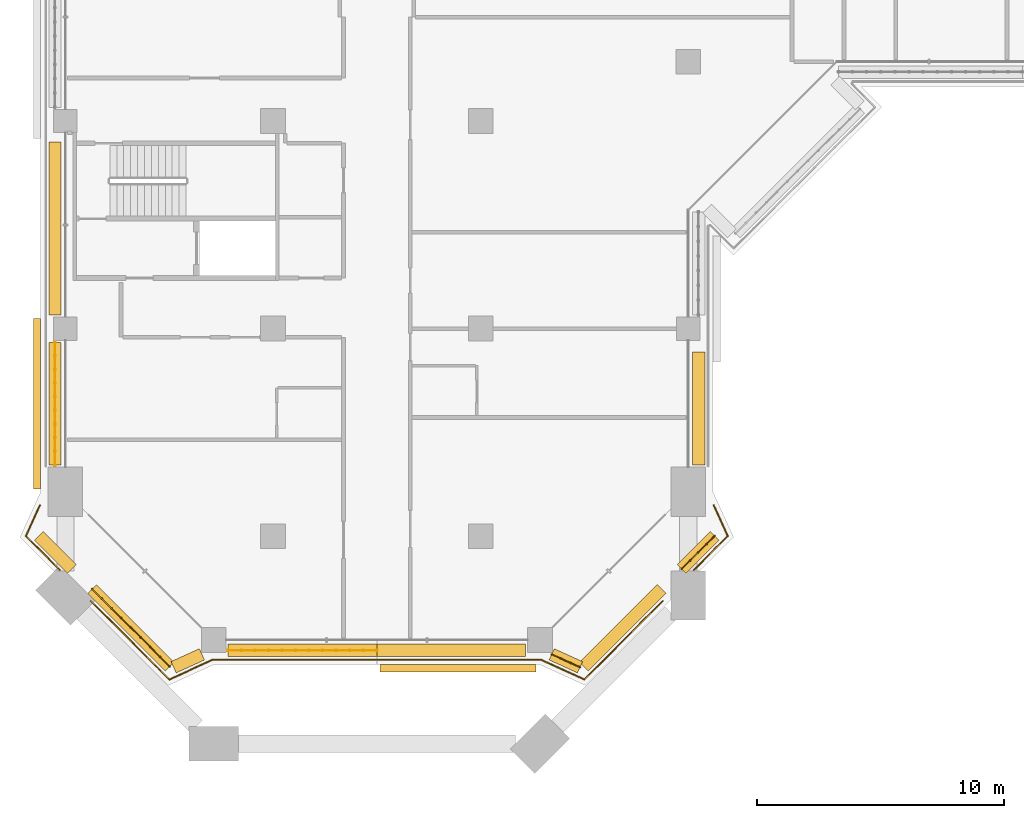
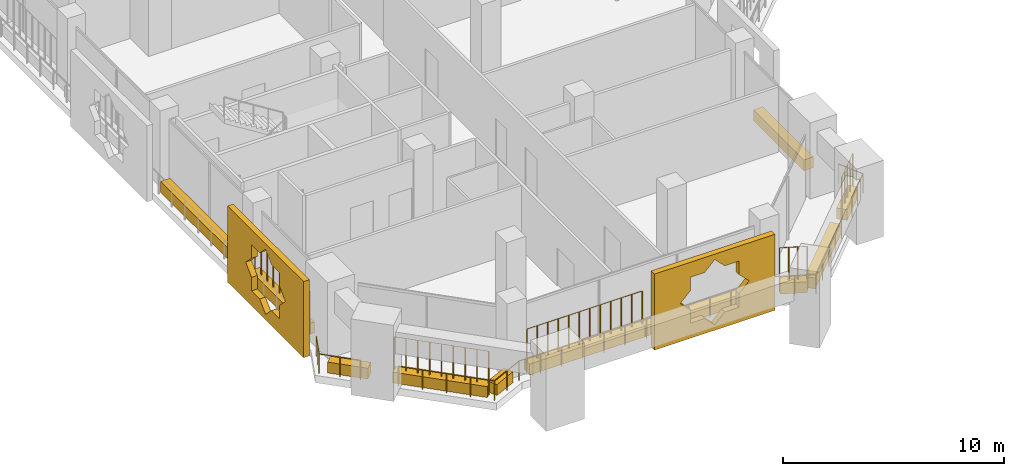
# One storey, part 16 of 23: 13 coverings, 9 railings.
"""IFC4 building model written with IfcOpenShell, lengths in metres."""

from ifc_helpers import new_model, si_unit, direction, frame, origin, origin_2d, place, context, subcontext, project, spatial, polyline, rectangle, circle, outline, extrude, material, material_profile, profile_set, type_object, element, save


model = new_model("IFC4")

# Units and contexts
model_context = context("Model", 3, precision=1e-05, world=origin(), true_north=direction((0.0, 1.0)))
body_context = subcontext(model_context, "Body", "Model", "MODEL_VIEW")
ifc_project = project(units=[si_unit("LENGTHUNIT", "METRE"), si_unit("AREAUNIT", "SQUARE_METRE"), si_unit("VOLUMEUNIT", "CUBIC_METRE"), si_unit("PLANEANGLEUNIT", "RADIAN"), si_unit("MASSUNIT", "GRAM", prefix="KILO")], contexts=[model_context])

# Site, building, storey
site_placement = place(None, origin())
site = spatial("IfcSite", under=ifc_project, at=site_placement, CompositionType="ELEMENT")
building_placement = place(site_placement, origin())
building = spatial("IfcBuilding", under=site, at=building_placement, Name="Kawkab Arch Medical Tower", CompositionType="ELEMENT")
storey_placement = place(building_placement, frame((0.0, 0.0, 175.199951171875)))
storey = spatial("IfcBuildingStorey", under=building, at=storey_placement, Name="L40", CompositionType="ELEMENT", Elevation=175.199951171875)

# Railings
ifc_material_1 = material(Name="Bronze anodised aluminium guard", Category="aluminium")
railing_type_1 = type_object("IfcRailingType", Name="Loggia and terrace guard 1100", PredefinedType="GUARDRAIL", material=ifc_material_1)
railing_1_placement = place(storey_placement, frame((20.9951171875, -56.197998046875, 0.0)))
element("IfcRailing", 1, at=railing_1_placement, inside=storey, type_object=railing_type_1, Name="Guard L40.LOG-01.1.1", PredefinedType="GUARDRAIL", context=body_context, shape_type="SweptSolid", body=[
    extrude(circle(Radius=0.02392578125, at=origin_2d()), frame((0.0, 0.0, 1.076171875), z_axis=(-0.910044860056, 0.414509773934, 0.0), x_axis=(-0.414509773934, -0.910044860056, 0.0)), (0.0, 0.0, 1.0), 1.92529296875),
    extrude(circle(Radius=0.02392578125, at=origin_2d()), frame((-1.752197265625, 0.798095703125, 1.076171875), z_axis=(-1.0, 0.0, 0.0), x_axis=(0.0, -1.0, 0.0)), (0.0, 0.0, 1.0), 13.285888671875),
    extrude(circle(Radius=0.02392578125, at=origin_2d()), frame((-15.0380859375, 0.798095703125, 1.076171875), z_axis=(-0.910023069687, -0.414557610759, 0.0), x_axis=(0.414557610759, -0.910023069687, 0.0)), (0.0, 0.0, 1.0), 1.92529296875),
    extrude(circle(Radius=0.02392578125, at=origin_2d()), frame((-16.7900390625, 0.0, 1.076171875), z_axis=(-0.707106781187, 0.707106781187, 0.0), x_axis=(-0.707106781187, -0.707106781187, 0.0)), (0.0, 0.0, 1.0), 4.490234375),
    extrude(circle(Radius=0.02099609375, at=origin_2d()), origin(), (0.0, 0.0, 1.0), 1.052001953125),
    extrude(circle(Radius=0.02099609375, at=origin_2d()), frame((-0.8759765625, 0.39892578125, 0.0)), (0.0, 0.0, 1.0), 1.052001953125),
    extrude(circle(Radius=0.02099609375, at=origin_2d()), frame((-1.752197265625, 0.798095703125, 0.0)), (0.0, 0.0, 1.0), 1.052001953125),
    extrude(circle(Radius=0.02099609375, at=origin_2d()), frame((-2.859375, 0.798095703125, 0.0)), (0.0, 0.0, 1.0), 1.052001953125),
    extrude(circle(Radius=0.02099609375, at=origin_2d()), frame((-3.966552734375, 0.798095703125, 0.0)), (0.0, 0.0, 1.0), 1.052001953125),
    extrude(circle(Radius=0.02099609375, at=origin_2d()), frame((-5.07373046875, 0.798095703125, 0.0)), (0.0, 0.0, 1.0), 1.052001953125),
    extrude(circle(Radius=0.02099609375, at=origin_2d()), frame((-6.180908203125, 0.798095703125, 0.0)), (0.0, 0.0, 1.0), 1.052001953125),
    extrude(circle(Radius=0.02099609375, at=origin_2d()), frame((-7.2880859375, 0.798095703125, 0.0)), (0.0, 0.0, 1.0), 1.052001953125),
    extrude(circle(Radius=0.02099609375, at=origin_2d()), frame((-8.39501953125, 0.798095703125, 0.0)), (0.0, 0.0, 1.0), 1.052001953125),
    extrude(circle(Radius=0.02099609375, at=origin_2d()), frame((-9.502197265625, 0.798095703125, 0.0)), (0.0, 0.0, 1.0), 1.052001953125),
    extrude(circle(Radius=0.02099609375, at=origin_2d()), frame((-10.609375, 0.798095703125, 0.0)), (0.0, 0.0, 1.0), 1.052001953125),
    extrude(circle(Radius=0.02099609375, at=origin_2d()), frame((-11.716552734375, 0.798095703125, 0.0)), (0.0, 0.0, 1.0), 1.052001953125),
    extrude(circle(Radius=0.02099609375, at=origin_2d()), frame((-12.82373046875, 0.798095703125, 0.0)), (0.0, 0.0, 1.0), 1.052001953125),
    extrude(circle(Radius=0.02099609375, at=origin_2d()), frame((-13.930908203125, 0.798095703125, 0.0)), (0.0, 0.0, 1.0), 1.052001953125),
    extrude(circle(Radius=0.02099609375, at=origin_2d()), frame((-15.0380859375, 0.798095703125, 0.0)), (0.0, 0.0, 1.0), 1.052001953125),
    extrude(circle(Radius=0.02099609375, at=origin_2d()), frame((-15.9140625, 0.39892578125, 0.0)), (0.0, 0.0, 1.0), 1.052001953125),
    extrude(circle(Radius=0.02099609375, at=origin_2d()), frame((-16.7900390625, 0.0, 0.0)), (0.0, 0.0, 1.0), 1.052001953125),
    extrude(circle(Radius=0.02099609375, at=origin_2d()), frame((-17.583740234375, 0.793701171875, 0.0)), (0.0, 0.0, 1.0), 1.052001953125),
    extrude(circle(Radius=0.02099609375, at=origin_2d()), frame((-18.37744140625, 1.58740234375, 0.0)), (0.0, 0.0, 1.0), 1.052001953125),
    extrude(circle(Radius=0.02099609375, at=origin_2d()), frame((-19.17138671875, 2.38134765625, 0.0)), (0.0, 0.0, 1.0), 1.052001953125),
    extrude(circle(Radius=0.02099609375, at=origin_2d()), frame((-19.965087890625, 3.175048828125, 0.0)), (0.0, 0.0, 1.0), 1.052001953125),
])
railing_2_placement = place(storey_placement, frame((-0.222900390625, -51.77001953125, 0.0)))
element("IfcRailing", 2, at=railing_2_placement, inside=storey, type_object=railing_type_1, Name="Guard L40.LOG-01.1.2", PredefinedType="GUARDRAIL", context=body_context, shape_type="SweptSolid", body=[
    extrude(circle(Radius=0.02392578125, at=origin_2d()), frame((0.0, 0.0, 1.076171875), z_axis=(-0.707106781187, 0.707106781187, 0.0), x_axis=(-0.707106781187, -0.707106781187, 0.0)), (0.0, 0.0, 1.0), 1.944580078125),
    extrude(circle(Radius=0.02392578125, at=origin_2d()), frame((-1.375, 1.375, 1.076171875), z_axis=(0.414420337807, 0.910085591366, 0.0), x_axis=(-0.910085591366, 0.414420337807, 0.0)), (0.0, 0.0, 1.0), 1.370361328125),
    extrude(circle(Radius=0.02099609375, at=origin_2d()), origin(), (0.0, 0.0, 1.0), 1.052001953125),
    extrude(circle(Radius=0.02099609375, at=origin_2d()), frame((-0.6875, 0.6875, 0.0)), (0.0, 0.0, 1.0), 1.052001953125),
    extrude(circle(Radius=0.02099609375, at=origin_2d()), frame((-1.375, 1.375, 0.0)), (0.0, 0.0, 1.0), 1.052001953125),
    extrude(circle(Radius=0.02099609375, at=origin_2d()), frame((-1.091064453125, 1.99853515625, 0.0)), (0.0, 0.0, 1.0), 1.052001953125),
    extrude(circle(Radius=0.02099609375, at=origin_2d()), frame((-0.80712890625, 2.6220703125, 0.0)), (0.0, 0.0, 1.0), 1.052001953125),
])
railing_3_placement = place(storey_placement, frame((26.22998046875, -49.14794921875, 0.0)))
element("IfcRailing", 3, at=railing_3_placement, inside=storey, type_object=railing_type_1, Name="Guard L40.LOG-01.1.4", PredefinedType="GUARDRAIL", context=body_context, shape_type="SweptSolid", body=[
    extrude(circle(Radius=0.02392578125, at=origin_2d()), frame((0.0, 0.0, 1.076171875), z_axis=(0.414567890698, -0.910018386629, 0.0), x_axis=(0.910018386629, 0.414567890698, 0.0)), (0.0, 0.0, 1.0), 1.370361328125),
    extrude(circle(Radius=0.02392578125, at=origin_2d()), frame((0.568115234375, -1.2470703125, 1.076171875), z_axis=(-0.707106781187, -0.707106781187, 0.0), x_axis=(0.707106781187, -0.707106781187, 0.0)), (0.0, 0.0, 1.0), 1.944580078125),
    extrude(circle(Radius=0.02099609375, at=origin_2d()), origin(), (0.0, 0.0, 1.0), 1.052001953125),
    extrude(circle(Radius=0.02099609375, at=origin_2d()), frame((0.2841796875, -0.62353515625, 0.0)), (0.0, 0.0, 1.0), 1.052001953125),
    extrude(circle(Radius=0.02099609375, at=origin_2d()), frame((0.568115234375, -1.2470703125, 0.0)), (0.0, 0.0, 1.0), 1.052001953125),
    extrude(circle(Radius=0.02099609375, at=origin_2d()), frame((-0.119384765625, -1.9345703125, 0.0)), (0.0, 0.0, 1.0), 1.052001953125),
    extrude(circle(Radius=0.02099609375, at=origin_2d()), frame((-0.806884765625, -2.6220703125, 0.0)), (0.0, 0.0, 1.0), 1.052001953125),
])
railing_4_placement = place(storey_placement, frame((24.169921875, -53.02294921875, 0.0)))
element("IfcRailing", 4, at=railing_4_placement, inside=storey, type_object=railing_type_1, Name="Guard L40.LOG-01.1.5", PredefinedType="GUARDRAIL", context=body_context, shape_type="SweptSolid", body=[
    extrude(circle(Radius=0.02392578125, at=origin_2d()), frame((0.0, 0.0, 1.076171875), z_axis=(-0.70707959366, -0.707133967668, 0.0), x_axis=(0.707133967668, -0.70707959366, 0.0)), (0.0, 0.0, 1.0), 4.489990234375),
    extrude(circle(Radius=0.02099609375, at=origin_2d()), origin(), (0.0, 0.0, 1.0), 1.052001953125),
    extrude(circle(Radius=0.02099609375, at=origin_2d()), frame((-0.793701171875, -0.793701171875, 0.0)), (0.0, 0.0, 1.0), 1.052001953125),
    extrude(circle(Radius=0.02099609375, at=origin_2d()), frame((-1.58740234375, -1.58740234375, 0.0)), (0.0, 0.0, 1.0), 1.052001953125),
    extrude(circle(Radius=0.02099609375, at=origin_2d()), frame((-2.381103515625, -2.38134765625, 0.0)), (0.0, 0.0, 1.0), 1.052001953125),
    extrude(circle(Radius=0.02099609375, at=origin_2d()), frame((-3.1748046875, -3.175048828125, 0.0)), (0.0, 0.0, 1.0), 1.052001953125),
])

# Coverings
ifc_material_2 = material(Name="Bronze anodised aluminium mashrabiya panel, eight-point star pattern", Category="aluminium")
ifc_material_profile_1 = material_profile(ifc_material_2, outline(polyline([(-3.14990234375, -2.10009765625), (3.14990234375, -2.10009765625), (3.14990234375, 2.10009765625), (-3.14990234375, 2.10009765625), (-3.14990234375, -2.10009765625)]), holes=[polyline([(1.800048828125, 0.0), (1.272705078125, 0.527099609375), (1.272705078125, 1.272705078125), (0.527099609375, 1.272705078125), (0.0, 1.800048828125), (-0.527099609375, 1.272705078125), (-1.272705078125, 1.272705078125), (-1.272705078125, 0.527099609375), (-1.800048828125, 0.0), (-1.272705078125, -0.527099609375), (-1.272705078125, -1.272705078125), (-0.527099609375, -1.272705078125), (0.0, -1.800048828125), (0.527099609375, -1.272705078125), (1.272705078125, -1.272705078125), (1.272705078125, -0.527099609375), (1.800048828125, 0.0)])]), Name="Mashrabiya panel 6300x4200")
ifc_profile_set_1 = profile_set([ifc_material_profile_1], Name="Bronze anodised aluminium mashrabiya panel, eight-point star pattern")
covering_type_1 = type_object("IfcCoveringType", Name="Mashrabiya panel 6300 x 4200", PredefinedType="USERDEFINED", material=ifc_profile_set_1)
covering_1_placement = place(storey_placement, frame((15.881103515625, -55.60009765625, 1.699951171875), z_axis=(0.0, -1.0, 0.0), x_axis=(1.0, 0.0, 0.0)))
element("IfcCovering", 5, at=covering_1_placement, inside=storey, type_object=covering_type_1, Name="Mashrabiya panel L40.LOG-01-01.1", ObjectType="SCREEN", PredefinedType="USERDEFINED", context=body_context, shape_type="SweptSolid", body=[
    extrude(outline(polyline([(-3.14990234375, -2.10009765625), (3.14990234375, -2.10009765625), (3.14990234375, 2.10009765625), (-3.14990234375, 2.10009765625), (-3.14990234375, -2.10009765625)]), holes=[polyline([(1.800048828125, 0.0), (1.272705078125, 0.527099609375), (1.272705078125, 1.272705078125), (0.527099609375, 1.272705078125), (0.0, 1.800048828125), (-0.527099609375, 1.272705078125), (-1.272705078125, 1.272705078125), (-1.272705078125, 0.527099609375), (-1.800048828125, 0.0), (-1.272705078125, -0.527099609375), (-1.272705078125, -1.272705078125), (-0.527099609375, -1.272705078125), (0.0, -1.800048828125), (0.527099609375, -1.272705078125), (1.272705078125, -1.272705078125), (1.272705078125, -0.527099609375), (1.800048828125, 0.0)])]), origin(), (0.0, 0.0, 1.0), 0.2998046875),
])
ifc_material_3 = material(Name="Bronze anodised aluminium mashrabiya panel, eight-point star pattern", Category="aluminium")
ifc_material_profile_2 = material_profile(ifc_material_3, outline(polyline([(-3.449951171875, -2.10009765625), (3.449951171875, -2.10009765625), (3.449951171875, 2.10009765625), (-3.449951171875, 2.10009765625), (-3.449951171875, -2.10009765625)]), holes=[polyline([(1.800048828125, 0.0), (1.272705078125, 0.527099609375), (1.272705078125, 1.272705078125), (0.527099609375, 1.272705078125), (0.0, 1.800048828125), (-0.527099609375, 1.272705078125), (-1.272705078125, 1.272705078125), (-1.272705078125, 0.527099609375), (-1.800048828125, 0.0), (-1.272705078125, -0.527099609375), (-1.272705078125, -1.272705078125), (-0.527099609375, -1.272705078125), (0.0, -1.800048828125), (0.527099609375, -1.272705078125), (1.272705078125, -1.272705078125), (1.272705078125, -0.527099609375), (1.800048828125, 0.0)])]), Name="Mashrabiya panel 6900x4200")
ifc_profile_set_2 = profile_set([ifc_material_profile_2], Name="Bronze anodised aluminium mashrabiya panel, eight-point star pattern")
covering_type_2 = type_object("IfcCoveringType", Name="Mashrabiya panel 6900 x 4200", PredefinedType="USERDEFINED", material=ifc_profile_set_2)
covering_2_placement = place(storey_placement, frame((-1.0, -45.03173828125, 1.699951171875), z_axis=(-1.0, 0.0, 0.0), x_axis=(0.0, -1.0, 0.0)))
element("IfcCovering", 6, at=covering_2_placement, inside=storey, type_object=covering_type_2, Name="Mashrabiya panel L40.LOG-01-01.2", ObjectType="SCREEN", PredefinedType="USERDEFINED", context=body_context, shape_type="SweptSolid", body=[
    extrude(outline(polyline([(-3.449951171875, -2.10009765625), (3.449951171875, -2.10009765625), (3.449951171875, 2.10009765625), (-3.449951171875, 2.10009765625), (-3.449951171875, -2.10009765625)]), holes=[polyline([(1.800048828125, 0.0), (1.272705078125, 0.527099609375), (1.272705078125, 1.272705078125), (0.527099609375, 1.272705078125), (0.0, 1.800048828125), (-0.527099609375, 1.272705078125), (-1.272705078125, 1.272705078125), (-1.272705078125, 0.527099609375), (-1.800048828125, 0.0), (-1.272705078125, -0.527099609375), (-1.272705078125, -1.272705078125), (-0.527099609375, -1.272705078125), (0.0, -1.800048828125), (0.527099609375, -1.272705078125), (1.272705078125, -1.272705078125), (1.272705078125, -0.527099609375), (1.800048828125, 0.0)])]), origin(), (0.0, 0.0, 1.0), 0.300048828125),
])
ifc_material_4 = material(Name="Planting soil in a precast trough", Category="concrete")
ifc_material_profile_3 = material_profile(ifc_material_4, rectangle(XDim=0.5, YDim=0.60009765625, at=origin_2d()), Name="Trough 500x600")
ifc_profile_set_3 = profile_set([ifc_material_profile_3], Name="Planting soil in a precast trough")
covering_type_3 = type_object("IfcCoveringType", Name="Planter trough 500 x 600", PredefinedType="USERDEFINED", material=ifc_profile_set_3)
covering_3_placement = place(storey_placement, frame((20.821044921875, -55.701904296875, 0.300048828125), z_axis=(-0.909780461959, 0.415089762627, 0.0), x_axis=(-0.415089762627, -0.909780461959, 0.0)))
element("IfcCovering", 7, at=covering_3_placement, inside=storey, type_object=covering_type_3, Name="Planter L40.LOG-01-01.1", ObjectType="PLANTER", PredefinedType="USERDEFINED", context=body_context, shape_type="SweptSolid", body=[
    extrude(rectangle(XDim=0.5, YDim=0.60009765625, at=origin_2d()), origin(), (0.0, 0.0, 1.0), 1.257568359375),
])
for number, where, z_axis, x_axis, name in (
    (8, (18.6201171875, -55.02001953125, 0.300048828125), (-1.0, 0.0, 0.0), (0.0, -1.0, 0.0), "Planter L40.LOG-01-01.2"),
    (9, (12.60009765625, -55.02001953125, 0.300048828125), (-1.0, 0.0, 0.0), (0.0, -1.0, 0.0), "Planter L40.LOG-01-01.3"),
):
    element("IfcCovering", number, at=place(storey_placement, frame(where, z_axis=z_axis, x_axis=x_axis)), inside=storey, type_object=covering_type_3, Name=name, ObjectType="PLANTER", PredefinedType="USERDEFINED", context=body_context, shape_type="SweptSolid", body=[
        extrude(rectangle(XDim=0.5, YDim=0.60009765625, at=origin_2d()), origin(), (0.0, 0.0, 1.0), 6.02001953125),
    ])
covering_4_placement = place(storey_placement, frame((5.52294921875, -55.179931640625, 0.300048828125), z_axis=(-0.909780461959, -0.415089762627, 0.0), x_axis=(0.415089762627, -0.909780461959, 0.0)))
element("IfcCovering", 10, at=covering_4_placement, inside=storey, type_object=covering_type_3, Name="Planter L40.LOG-01-01.4", ObjectType="PLANTER", PredefinedType="USERDEFINED", context=body_context, shape_type="SweptSolid", body=[
    extrude(rectangle(XDim=0.5, YDim=0.60009765625, at=origin_2d()), origin(), (0.0, 0.0, 1.0), 1.257568359375),
])
covering_5_placement = place(storey_placement, frame((4.217041015625, -55.673095703125, 0.300048828125), z_axis=(-0.707079265698, 0.707134295604, 0.0), x_axis=(-0.707134295604, -0.707079265698, 0.0)))
element("IfcCovering", 11, at=covering_5_placement, inside=storey, type_object=covering_type_3, Name="Planter L40.LOG-01-01.5", ObjectType="PLANTER", PredefinedType="USERDEFINED", context=body_context, shape_type="SweptSolid", body=[
    extrude(rectangle(XDim=0.5, YDim=0.60009765625, at=origin_2d()), origin(), (0.0, 0.0, 1.0), 4.4365234375),
])
covering_6_placement = place(storey_placement, frame((0.263916015625, -51.719970703125, 0.300048828125), z_axis=(-0.707106781187, 0.707106781187, 0.0), x_axis=(-0.707106781187, -0.707106781187, 0.0)))
element("IfcCovering", 12, at=covering_6_placement, inside=storey, type_object=covering_type_3, Name="Planter L40.LOG-01-01.6", ObjectType="PLANTER", PredefinedType="USERDEFINED", context=body_context, shape_type="SweptSolid", body=[
    extrude(rectangle(XDim=0.5, YDim=0.60009765625, at=origin_2d()), origin(), (0.0, 0.0, 1.0), 1.890625),
])
covering_7_placement = place(storey_placement, frame((-0.419921875, -47.52001953125, 0.300048828125), z_axis=(0.0, 1.0, 0.0), x_axis=(-1.0, 0.0, 0.0)))
element("IfcCovering", 13, at=covering_7_placement, inside=storey, type_object=covering_type_3, Name="Planter L40.LOG-01-01.7", ObjectType="PLANTER", PredefinedType="USERDEFINED", context=body_context, shape_type="SweptSolid", body=[
    extrude(rectangle(XDim=0.5, YDim=0.60009765625, at=origin_2d()), origin(), (0.0, 0.0, 1.0), 4.965087890625),
])
covering_8_placement = place(storey_placement, frame((-0.419921875, -41.445068359375, 0.300048828125), z_axis=(0.0, 1.0, 0.0), x_axis=(-1.0, 0.0, 0.0)))
element("IfcCovering", 14, at=covering_8_placement, inside=storey, type_object=covering_type_3, Name="Planter L40.LOG-01-01.8", ObjectType="PLANTER", PredefinedType="USERDEFINED", context=body_context, shape_type="SweptSolid", body=[
    extrude(rectangle(XDim=0.5, YDim=0.60009765625, at=origin_2d()), origin(), (0.0, 0.0, 1.0), 7.003173828125),
])
covering_9_placement = place(storey_placement, frame((25.6201171875, -42.955078125, 0.300048828125), z_axis=(0.0, -1.0, 0.0), x_axis=(1.0, 0.0, 0.0)))
element("IfcCovering", 15, at=covering_9_placement, inside=storey, type_object=covering_type_3, Name="Planter L40.LOG-01-01.42", ObjectType="PLANTER", PredefinedType="USERDEFINED", context=body_context, shape_type="SweptSolid", body=[
    extrude(rectangle(XDim=0.5, YDim=0.60009765625, at=origin_2d()), origin(), (0.0, 0.0, 1.0), 4.56494140625),
])
covering_10_placement = place(storey_placement, frame((26.27294921875, -50.383056640625, 0.300048828125), z_axis=(-0.707106781187, -0.707106781187, 0.0), x_axis=(0.707106781187, -0.707106781187, 0.0)))
element("IfcCovering", 16, at=covering_10_placement, inside=storey, type_object=covering_type_3, Name="Planter L40.LOG-01-01.43", ObjectType="PLANTER", PredefinedType="USERDEFINED", context=body_context, shape_type="SweptSolid", body=[
    extrude(rectangle(XDim=0.5, YDim=0.60009765625, at=origin_2d()), origin(), (0.0, 0.0, 1.0), 1.890625),
])
covering_11_placement = place(storey_placement, frame((24.1201171875, -52.535888671875, 0.300048828125), z_axis=(-0.707106781187, -0.707106781187, 0.0), x_axis=(0.707106781187, -0.707106781187, 0.0)))
element("IfcCovering", 17, at=covering_11_placement, inside=storey, type_object=covering_type_3, Name="Planter L40.LOG-01-01.44", ObjectType="PLANTER", PredefinedType="USERDEFINED", context=body_context, shape_type="SweptSolid", body=[
    extrude(rectangle(XDim=0.5, YDim=0.60009765625, at=origin_2d()), origin(), (0.0, 0.0, 1.0), 4.436767578125),
])

# Railings
ifc_material_5 = material(Name="Bronze anodised aluminium trellis for climbing plants", Category="aluminium")
railing_type_2 = type_object("IfcRailingType", Name="Planting trellis 2400", PredefinedType="USERDEFINED", material=ifc_material_5)
railing_5_placement = place(storey_placement, frame((20.821044921875, -55.701904296875, 0.0)))
element("IfcRailing", 18, at=railing_5_placement, inside=storey, type_object=railing_type_2, Name="Planting trellis L40.LOG-01-01.1", ObjectType="TRELLIS", PredefinedType="USERDEFINED", context=body_context, shape_type="SweptSolid", body=[
    extrude(circle(Radius=0.01513671875, at=origin_2d()), frame((0.0, 0.0, 2.384765625), z_axis=(-0.909780461959, 0.415089762627, 0.0), x_axis=(-0.415089762627, -0.909780461959, 0.0)), (0.0, 0.0, 1.0), 1.257568359375),
    extrude(circle(Radius=0.030029296875, at=origin_2d()), origin(), (0.0, 0.0, 1.0), 2.369873046875),
    extrude(circle(Radius=0.030029296875, at=origin_2d()), frame((-0.38134765625, 0.174072265625, 0.0)), (0.0, 0.0, 1.0), 2.369873046875),
    extrude(circle(Radius=0.030029296875, at=origin_2d()), frame((-0.7626953125, 0.347900390625, 0.0)), (0.0, 0.0, 1.0), 2.369873046875),
    extrude(circle(Radius=0.030029296875, at=origin_2d()), frame((-1.14404296875, 0.52197265625, 0.0)), (0.0, 0.0, 1.0), 2.369873046875),
])
railing_6_placement = place(storey_placement, frame((12.60009765625, -55.02001953125, 0.0)))
element("IfcRailing", 19, at=railing_6_placement, inside=storey, type_object=railing_type_2, Name="Planting trellis L40.LOG-01-01.3", ObjectType="TRELLIS", PredefinedType="USERDEFINED", context=body_context, shape_type="SweptSolid", body=[
    extrude(circle(Radius=0.01513671875, at=origin_2d()), frame((0.0, 0.0, 2.384765625), z_axis=(-1.0, 0.0, 0.0), x_axis=(0.0, -1.0, 0.0)), (0.0, 0.0, 1.0), 6.02001953125),
    extrude(circle(Radius=0.030029296875, at=origin_2d()), origin(), (0.0, 0.0, 1.0), 2.369873046875),
    extrude(circle(Radius=0.030029296875, at=origin_2d()), frame((-0.54736328125, 0.0, 0.0)), (0.0, 0.0, 1.0), 2.369873046875),
    extrude(circle(Radius=0.030029296875, at=origin_2d()), frame((-1.094482421875, 0.0, 0.0)), (0.0, 0.0, 1.0), 2.369873046875),
    extrude(circle(Radius=0.030029296875, at=origin_2d()), frame((-1.641845703125, 0.0, 0.0)), (0.0, 0.0, 1.0), 2.369873046875),
    extrude(circle(Radius=0.030029296875, at=origin_2d()), frame((-2.189208984375, 0.0, 0.0)), (0.0, 0.0, 1.0), 2.369873046875),
    extrude(circle(Radius=0.030029296875, at=origin_2d()), frame((-2.736328125, 0.0, 0.0)), (0.0, 0.0, 1.0), 2.369873046875),
    extrude(circle(Radius=0.030029296875, at=origin_2d()), frame((-3.28369140625, 0.0, 0.0)), (0.0, 0.0, 1.0), 2.369873046875),
    extrude(circle(Radius=0.030029296875, at=origin_2d()), frame((-3.830810546875, 0.0, 0.0)), (0.0, 0.0, 1.0), 2.369873046875),
    extrude(circle(Radius=0.030029296875, at=origin_2d()), frame((-4.378173828125, 0.0, 0.0)), (0.0, 0.0, 1.0), 2.369873046875),
    extrude(circle(Radius=0.030029296875, at=origin_2d()), frame((-4.925537109375, 0.0, 0.0)), (0.0, 0.0, 1.0), 2.369873046875),
    extrude(circle(Radius=0.030029296875, at=origin_2d()), frame((-5.47265625, 0.0, 0.0)), (0.0, 0.0, 1.0), 2.369873046875),
    extrude(circle(Radius=0.030029296875, at=origin_2d()), frame((-6.02001953125, 0.0, 0.0)), (0.0, 0.0, 1.0), 2.369873046875),
])
railing_7_placement = place(storey_placement, frame((4.217041015625, -55.673095703125, 0.0)))
element("IfcRailing", 20, at=railing_7_placement, inside=storey, type_object=railing_type_2, Name="Planting trellis L40.LOG-01-01.5", ObjectType="TRELLIS", PredefinedType="USERDEFINED", context=body_context, shape_type="SweptSolid", body=[
    extrude(circle(Radius=0.01513671875, at=origin_2d()), frame((0.0, 0.0, 2.384765625), z_axis=(-0.707079265698, 0.707134295604, 0.0), x_axis=(-0.707134295604, -0.707079265698, 0.0)), (0.0, 0.0, 1.0), 4.4365234375),
    extrude(circle(Radius=0.030029296875, at=origin_2d()), origin(), (0.0, 0.0, 1.0), 2.369873046875),
    extrude(circle(Radius=0.030029296875, at=origin_2d()), frame((-0.39208984375, 0.39208984375, 0.0)), (0.0, 0.0, 1.0), 2.369873046875),
    extrude(circle(Radius=0.030029296875, at=origin_2d()), frame((-0.7841796875, 0.7841796875, 0.0)), (0.0, 0.0, 1.0), 2.369873046875),
    extrude(circle(Radius=0.030029296875, at=origin_2d()), frame((-1.17626953125, 1.176513671875, 0.0)), (0.0, 0.0, 1.0), 2.369873046875),
    extrude(circle(Radius=0.030029296875, at=origin_2d()), frame((-1.568359375, 1.568603515625, 0.0)), (0.0, 0.0, 1.0), 2.369873046875),
    extrude(circle(Radius=0.030029296875, at=origin_2d()), frame((-1.960693359375, 1.960693359375, 0.0)), (0.0, 0.0, 1.0), 2.369873046875),
    extrude(circle(Radius=0.030029296875, at=origin_2d()), frame((-2.352783203125, 2.35302734375, 0.0)), (0.0, 0.0, 1.0), 2.369873046875),
    extrude(circle(Radius=0.030029296875, at=origin_2d()), frame((-2.744873046875, 2.7451171875, 0.0)), (0.0, 0.0, 1.0), 2.369873046875),
    extrude(circle(Radius=0.030029296875, at=origin_2d()), frame((-3.136962890625, 3.13720703125, 0.0)), (0.0, 0.0, 1.0), 2.369873046875),
])
railing_8_placement = place(storey_placement, frame((-0.419921875, -47.52001953125, 0.0)))
element("IfcRailing", 21, at=railing_8_placement, inside=storey, type_object=railing_type_2, Name="Planting trellis L40.LOG-01-01.7", ObjectType="TRELLIS", PredefinedType="USERDEFINED", context=body_context, shape_type="SweptSolid", body=[
    extrude(circle(Radius=0.01513671875, at=origin_2d()), frame((0.0, 0.0, 2.384765625), z_axis=(0.0, 1.0, 0.0), x_axis=(-1.0, 0.0, 0.0)), (0.0, 0.0, 1.0), 4.965087890625),
    extrude(circle(Radius=0.030029296875, at=origin_2d()), origin(), (0.0, 0.0, 1.0), 2.369873046875),
    extrude(circle(Radius=0.030029296875, at=origin_2d()), frame((0.0, 0.5517578125, 0.0)), (0.0, 0.0, 1.0), 2.369873046875),
    extrude(circle(Radius=0.030029296875, at=origin_2d()), frame((0.0, 1.103271484375, 0.0)), (0.0, 0.0, 1.0), 2.369873046875),
    extrude(circle(Radius=0.030029296875, at=origin_2d()), frame((0.0, 1.655029296875, 0.0)), (0.0, 0.0, 1.0), 2.369873046875),
    extrude(circle(Radius=0.030029296875, at=origin_2d()), frame((0.0, 2.206787109375, 0.0)), (0.0, 0.0, 1.0), 2.369873046875),
    extrude(circle(Radius=0.030029296875, at=origin_2d()), frame((0.0, 2.75830078125, 0.0)), (0.0, 0.0, 1.0), 2.369873046875),
    extrude(circle(Radius=0.030029296875, at=origin_2d()), frame((0.0, 3.31005859375, 0.0)), (0.0, 0.0, 1.0), 2.369873046875),
    extrude(circle(Radius=0.030029296875, at=origin_2d()), frame((0.0, 3.86181640625, 0.0)), (0.0, 0.0, 1.0), 2.369873046875),
    extrude(circle(Radius=0.030029296875, at=origin_2d()), frame((0.0, 4.413330078125, 0.0)), (0.0, 0.0, 1.0), 2.369873046875),
    extrude(circle(Radius=0.030029296875, at=origin_2d()), frame((0.0, 4.965087890625, 0.0)), (0.0, 0.0, 1.0), 2.369873046875),
])
railing_9_placement = place(storey_placement, frame((26.27294921875, -50.383056640625, 0.0)))
element("IfcRailing", 22, at=railing_9_placement, inside=storey, type_object=railing_type_2, Name="Planting trellis L40.LOG-01-01.43", ObjectType="TRELLIS", PredefinedType="USERDEFINED", context=body_context, shape_type="SweptSolid", body=[
    extrude(circle(Radius=0.01513671875, at=origin_2d()), frame((0.0, 0.0, 2.384765625), z_axis=(-0.707106781187, -0.707106781187, 0.0), x_axis=(0.707106781187, -0.707106781187, 0.0)), (0.0, 0.0, 1.0), 1.890625),
    extrude(circle(Radius=0.030029296875, at=origin_2d()), origin(), (0.0, 0.0, 1.0), 2.369873046875),
    extrude(circle(Radius=0.030029296875, at=origin_2d()), frame((-0.334228515625, -0.334228515625, 0.0)), (0.0, 0.0, 1.0), 2.369873046875),
    extrude(circle(Radius=0.030029296875, at=origin_2d()), frame((-0.66845703125, -0.66845703125, 0.0)), (0.0, 0.0, 1.0), 2.369873046875),
    extrude(circle(Radius=0.030029296875, at=origin_2d()), frame((-1.002685546875, -1.002685546875, 0.0)), (0.0, 0.0, 1.0), 2.369873046875),
    extrude(circle(Radius=0.030029296875, at=origin_2d()), frame((-1.3369140625, -1.3369140625, 0.0)), (0.0, 0.0, 1.0), 2.369873046875),
])

save(model, "model.ifc")
